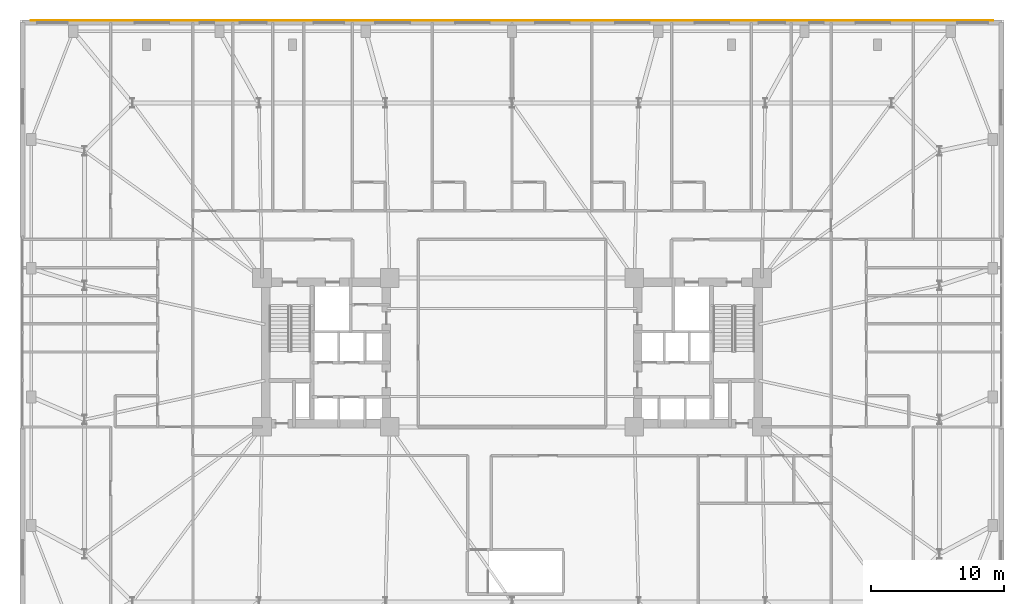
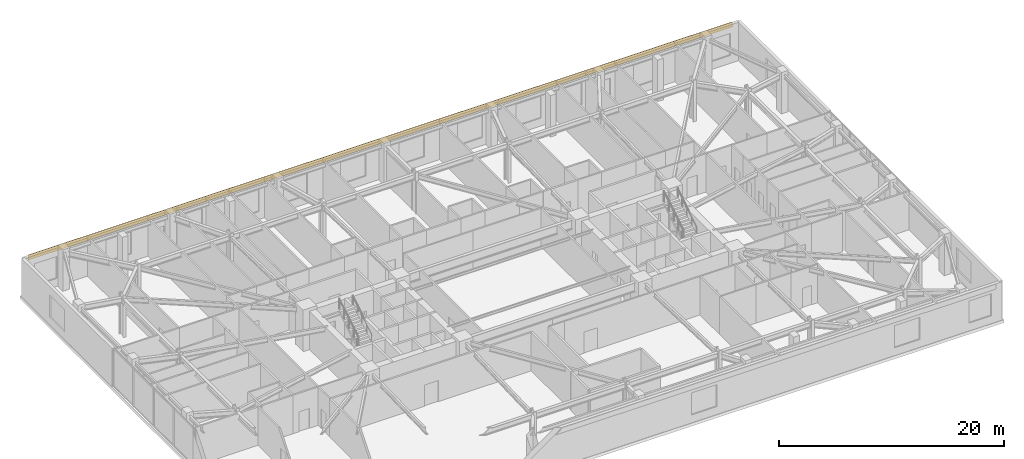
# One storey, part 21 of 21: 1 covering.
"""IFC4 building model written with IfcOpenShell, lengths in metres."""

from ifc_helpers import new_model, si_unit, direction, frame, origin, place, context, subcontext, project, spatial, polyline, outline, extrude, material, layer, layer_set, type_object, element, save


model = new_model("IFC4")

# Units and contexts
model_context = context("Model", 3, precision=1e-05, world=origin(), true_north=direction((0.0, 1.0)))
body_context = subcontext(model_context, "Body", "Model", "MODEL_VIEW")
ifc_project = project(units=[si_unit("LENGTHUNIT", "METRE"), si_unit("AREAUNIT", "SQUARE_METRE"), si_unit("VOLUMEUNIT", "CUBIC_METRE"), si_unit("PLANEANGLEUNIT", "RADIAN"), si_unit("MASSUNIT", "GRAM", prefix="KILO")], contexts=[model_context])

# Site, building, storey
site_placement = place(None, origin())
site = spatial("IfcSite", under=ifc_project, at=site_placement, CompositionType="ELEMENT")
building_placement = place(site_placement, origin())
building = spatial("IfcBuilding", under=site, at=building_placement, Name="Qobustan Lattice House", CompositionType="ELEMENT")
storey_placement = place(building_placement, frame((0.0, 0.0, 22.5)))
storey = spatial("IfcBuildingStorey", under=building, at=storey_placement, Name="L05", CompositionType="ELEMENT", Elevation=22.5)

# Covering
ifc_material = material(Name="Qobustan buff limestone cladding", Category="masonry")
ifc_layer = layer(ifc_material, 0.044921875)
ifc_layer_set = layer_set([ifc_layer], Name="Qobustan buff limestone cladding")
covering_type = type_object("IfcCoveringType", Name="COV-STONE-CLAD", PredefinedType="CLADDING", material=ifc_layer_set)
covering_placement = place(storey_placement, frame((0.0, 0.0, 3.610107421875)))
element("IfcCovering", 1, at=covering_placement, inside=storey, type_object=covering_type, Name="L05 N Qobustan limestone cornice band", PredefinedType="CLADDING", context=body_context, shape_type="SweptSolid", body=[
    extrude(outline(polyline([(-36.199951171875, 24.9580078125), (-36.199951171875, 25.0029296875), (36.199951171875, 25.0029296875), (36.199951171875, 24.9580078125), (-36.199951171875, 24.9580078125)])), origin(), (0.0, 0.0, 1.0), 0.5498046875),
])

save(model, "model.ifc")
